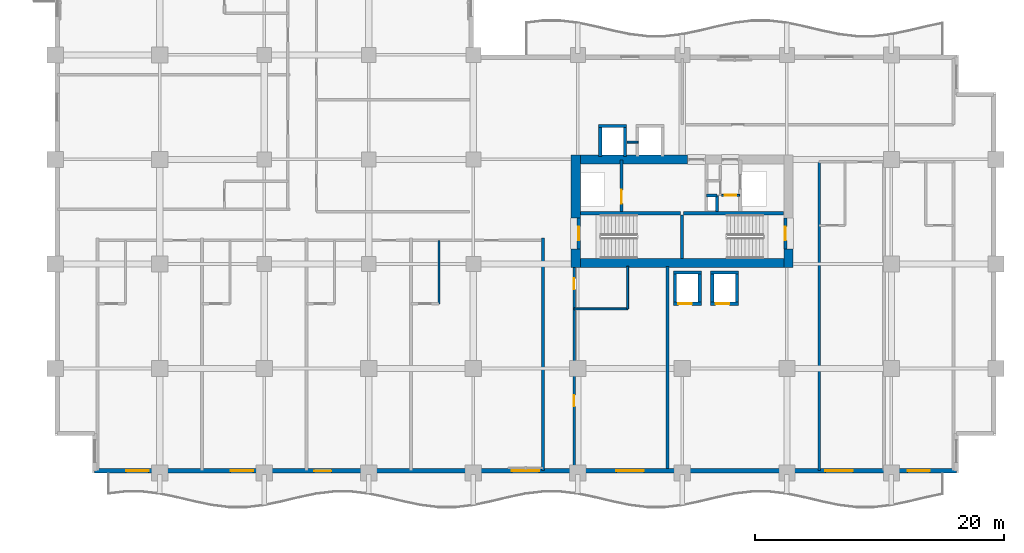
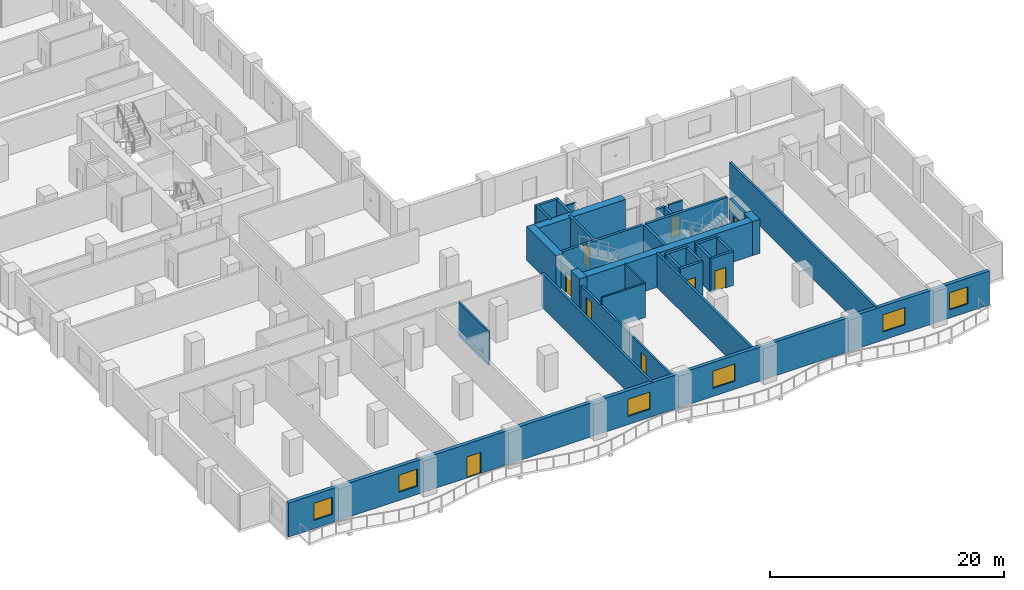
# One storey, part 5 of 18: 34 walls, 9 doors, 6 windows, 15 openings.
"""IFC4 building model written with IfcOpenShell, lengths in metres."""

from ifc_helpers import new_model, si_unit, direction, frame, frame_2d, origin, place, context, subcontext, project, spatial, rectangle, extrude, material, layer, layer_set, type_object, element, fill, save


model = new_model("IFC4")

# Units and contexts
model_context = context("Model", 3, precision=1e-05, world=origin(), true_north=direction((0.0, 1.0)))
body_context = subcontext(model_context, "Body", "Model", "MODEL_VIEW")
ifc_project = project(units=[si_unit("LENGTHUNIT", "METRE"), si_unit("AREAUNIT", "SQUARE_METRE"), si_unit("VOLUMEUNIT", "CUBIC_METRE"), si_unit("PLANEANGLEUNIT", "RADIAN"), si_unit("MASSUNIT", "GRAM", prefix="KILO")], contexts=[model_context])

# Site, building, storey
site_placement = place(None, origin())
site = spatial("IfcSite", under=ifc_project, at=site_placement, CompositionType="ELEMENT")
building_placement = place(site_placement, origin())
building = spatial("IfcBuilding", under=site, at=building_placement, Name="Koriwani Terraces Tower", CompositionType="ELEMENT")
storey_placement = place(building_placement, frame((0.0, 0.0, 100.0)))
storey = spatial("IfcBuildingStorey", under=building, at=storey_placement, Name="L23", CompositionType="ELEMENT", Elevation=100.0)

# Walls
ifc_material_1 = material(Name="Concrete C60/75", Category="concrete")
ifc_layer_1 = layer(ifc_material_1, 0.75, Name="Concrete C60/75")
ifc_layer_set_1 = layer_set([ifc_layer_1], Name="Concrete C60/75")
wall_type_1 = type_object("IfcWallType", Name="WALL_CORE_RC_750", PredefinedType="SHEAR", material=ifc_layer_set_1)
wall_1_placement = place(storey_placement, frame((41.824951171875, 16.5, 0.0), z_axis=(0.0, 0.0, 1.0), x_axis=(0.0, 1.0, 0.0)))
element("IfcWall", 1, at=wall_1_placement, inside=storey, type_object=wall_type_1, Name="L23 East Split Core Shear Wall W1", PredefinedType="SHEAR", context=body_context, shape_type="SweptSolid", body=[
    extrude(rectangle(XDim=1.5, YDim=0.75, at=frame_2d((0.75, 0.0))), origin(), (0.0, 0.0, 1.0), 3.550048828125),
])
wall_2_placement = place(storey_placement, frame((41.824951171875, 20.5, 0.0), z_axis=(0.0, 0.0, 1.0), x_axis=(0.0, 1.0, 0.0)))
element("IfcWall", 2, at=wall_2_placement, inside=storey, type_object=wall_type_1, Name="L23 East Split Core Shear Wall W2", PredefinedType="SHEAR", context=body_context, shape_type="SweptSolid", body=[
    extrude(rectangle(XDim=5.074951171875, YDim=0.75, at=frame_2d((2.53759765625, 0.0))), origin(), (0.0, 0.0, 1.0), 3.550048828125),
])
wall_3_placement = place(storey_placement, frame((58.925048828125, 16.5, 0.0), z_axis=(0.0, 0.0, 1.0), x_axis=(0.0, 1.0, 0.0)))
element("IfcWall", 3, at=wall_3_placement, inside=storey, type_object=wall_type_1, Name="L23 East Split Core Shear Wall E1", PredefinedType="SHEAR", context=body_context, shape_type="SweptSolid", body=[
    extrude(rectangle(XDim=1.5, YDim=0.75, at=frame_2d((0.75, 0.0))), origin(), (0.0, 0.0, 1.0), 3.550048828125),
])
wall_4_placement = place(storey_placement, frame((42.199951171875, 16.875, 0.0), z_axis=(0.0, 0.0, 1.0), x_axis=(1.0, 0.0, 0.0)))
element("IfcWall", 4, at=wall_4_placement, inside=storey, type_object=wall_type_1, Name="L23 East Split Core Shear Wall S1", PredefinedType="SHEAR", context=body_context, shape_type="SweptSolid", body=[
    extrude(rectangle(XDim=16.35009765625, YDim=0.75, at=frame_2d((8.175048828125, 0.0))), origin(), (0.0, 0.0, 1.0), 3.550048828125),
])
wall_5_placement = place(storey_placement, frame((42.199951171875, 25.199951171875, 0.0), z_axis=(0.0, 0.0, 1.0), x_axis=(1.0, 0.0, 0.0)))
element("IfcWall", 5, at=wall_5_placement, inside=storey, type_object=wall_type_1, Name="L23 East Split Core Shear Wall N1", PredefinedType="SHEAR", context=body_context, shape_type="SweptSolid", body=[
    extrude(rectangle(XDim=8.60009765625, YDim=0.75, at=frame_2d((4.300048828125, 0.0))), origin(), (0.0, 0.0, 1.0), 3.550048828125),
])

# Wall, openings, doors
ifc_material_2 = material(Name="Autoclaved Cellular Concrete Blockwork", Category="masonry")
ifc_layer_2 = layer(ifc_material_2, 0.199951171875, Name="Autoclaved Cellular Concrete Blockwork")
ifc_layer_set_2 = layer_set([ifc_layer_2], Name="Autoclaved Cellular Concrete Blockwork")
wall_type_2 = type_object("IfcWallType", Name="WALL_CORRIDOR_200", PredefinedType="PARTITIONING", material=ifc_layer_set_2)
wall_6_placement = place(storey_placement, frame((41.699951171875, 0.35009765625, 0.0), z_axis=(0.0, 0.0, 1.0), x_axis=(0.0, 1.0, 0.0)))
wall_6 = element("IfcWall", 6, at=wall_6_placement, inside=storey, type_object=wall_type_2, Name="L23 Interior Wall WREC-EW-L23", PredefinedType="PARTITIONING", context=body_context, shape_type="SweptSolid", body=[
    extrude(rectangle(XDim=16.25, YDim=0.199951171875, at=frame_2d((8.125, 0.0))), origin(), (0.0, 0.0, 1.0), 2.800048828125),
])
opening_1_placement = place(wall_6_placement, frame((5.0, 0.0, 0.0)))
opening_1 = element("IfcOpeningElement", 7, at=opening_1_placement, cuts=wall_6, Name="Opening D-06", PredefinedType="OPENING", context=body_context, shape_type="SweptSolid", body=[
    extrude(rectangle(XDim=0.919921875, YDim=2.10009765625, at=frame_2d((0.4599609375, 1.050048828125))), frame((0.0, 0.10986328125, 0.0), z_axis=(0.0, -1.0, 0.0), x_axis=(1.0, 0.0, 0.0)), (0.0, 0.0, 1.0), 0.219970703125),
])
opening_2_placement = place(wall_6_placement, frame((14.39990234375, 0.0, 0.0)))
opening_2 = element("IfcOpeningElement", 8, at=opening_2_placement, cuts=wall_6, Name="Opening D-07", PredefinedType="OPENING", context=body_context, shape_type="SweptSolid", body=[
    extrude(rectangle(XDim=0.89990234375, YDim=2.10009765625, at=frame_2d((0.449951171875, 1.050048828125))), frame((0.0, 0.10986328125, 0.0), z_axis=(0.0, -1.0, 0.0), x_axis=(1.0, 0.0, 0.0)), (0.0, 0.0, 1.0), 0.219970703125),
])
ifc_material_3 = material(Name="Architectural Oak Fire Door", Category="wood")
door_type_1 = type_object("IfcDoorType", Name="DOOR_BATH_INT_900X2100", OperationType="NOTDEFINED", PredefinedType="DOOR", material=ifc_material_3)
door_1_placement = place(opening_2_placement, origin())
door_1 = element("IfcDoor", 9, at=door_1_placement, inside=storey, type_object=door_type_1, Name="L23 Linen Closet Door", OperationType="SINGLE_SWING_LEFT", OverallHeight=2.10009765625, OverallWidth=0.89990234375, PredefinedType="DOOR", context=body_context, shape_type="SweptSolid", body=[
    extrude(rectangle(XDim=0.89990234375, YDim=2.10009765625, at=frame_2d((0.449951171875, 1.050048828125))), frame((0.0, 0.02490234375, 0.0), z_axis=(0.0, -1.0, 0.0), x_axis=(1.0, 0.0, 0.0)), (0.0, 0.0, 1.0), 0.050048828125),
])
fill(opening_2, door_1)
door_type_2 = type_object("IfcDoorType", Name="DOOR_ROOM_INT_920X2100", OperationType="NOTDEFINED", PredefinedType="DOOR", material=ifc_material_3)
door_2_placement = place(opening_1_placement, origin())
door_2 = element("IfcDoor", 10, at=door_2_placement, inside=storey, type_object=door_type_2, Name="L23 Floor Study Lounge Door", OperationType="SINGLE_SWING_RIGHT", OverallHeight=2.10009765625, OverallWidth=0.919921875, PredefinedType="DOOR", context=body_context, shape_type="SweptSolid", body=[
    extrude(rectangle(XDim=0.919921875, YDim=2.10009765625, at=frame_2d((0.4599609375, 1.050048828125))), frame((0.0, 0.02490234375, 0.0), z_axis=(0.0, -1.0, 0.0), x_axis=(1.0, 0.0, 0.0)), (0.0, 0.0, 1.0), 0.050048828125),
])
fill(opening_1, door_2)

# Walls
ifc_layer_3 = layer(ifc_material_2, 0.219970703125, Name="Autoclaved Cellular Concrete Blockwork")
ifc_layer_set_3 = layer_set([ifc_layer_3], Name="Autoclaved Cellular Concrete Blockwork")
wall_type_3 = type_object("IfcWallType", Name="WALL_DEMISING_220", PredefinedType="PARTITIONING", material=ifc_layer_set_3)
wall_7_placement = place(storey_placement, frame((49.199951171875, 0.35009765625, 0.0), z_axis=(0.0, 0.0, 1.0), x_axis=(0.0, 1.0, 0.0)))
element("IfcWall", 11, at=wall_7_placement, inside=storey, type_object=wall_type_3, Name="L23 Interior Wall WREC-EE-L23", PredefinedType="PARTITIONING", context=body_context, shape_type="SweptSolid", body=[
    extrude(rectangle(XDim=16.25, YDim=0.219970703125, at=frame_2d((8.125, 0.0))), origin(), (0.0, 0.0, 1.0), 3.550048828125),
])
wall_8_placement = place(storey_placement, frame((39.199951171875, 0.199951171875, 0.0), z_axis=(0.0, 0.0, 1.0), x_axis=(0.0, 1.0, 0.0)))
element("IfcWall", 12, at=wall_8_placement, inside=storey, type_object=wall_type_3, Name="L23 Interior Wall WDEME-L23-SW", PredefinedType="PARTITIONING", context=body_context, shape_type="SweptSolid", body=[
    extrude(rectangle(XDim=18.679931640625, YDim=0.219970703125, at=frame_2d((9.33984375, 0.0))), origin(), (0.0, 0.0, 1.0), 3.550048828125),
])
wall_9_placement = place(storey_placement, frame((61.39990234375, 0.199951171875, 0.0), z_axis=(0.0, 0.0, 1.0), x_axis=(0.0, 1.0, 0.0)))
element("IfcWall", 13, at=wall_9_placement, inside=storey, type_object=wall_type_3, Name="L23 Interior Wall WDEM-L23-SE-0", PredefinedType="PARTITIONING", context=body_context, shape_type="SweptSolid", body=[
    extrude(rectangle(XDim=24.97998046875, YDim=0.219970703125, at=frame_2d((12.489990234375, 0.0))), origin(), (0.0, 0.0, 1.0), 3.550048828125),
])

# Wall, openings, door, windows
ifc_material_4 = material(Name="Concrete C50/60", Category="concrete")
ifc_layer_4 = layer(ifc_material_4, 0.35009765625, Name="Concrete C50/60")
ifc_layer_set_4 = layer_set([ifc_layer_4], Name="Concrete C50/60")
wall_type_4 = type_object("IfcWallType", Name="WALL_EXT_BRUTALIST_350", PredefinedType="STANDARD", material=ifc_layer_set_4)
wall_10_placement = place(storey_placement, frame((72.425048828125, 0.175048828125, 0.0), z_axis=(0.0, 0.0, 1.0), x_axis=(-1.0, 0.0, 0.0)))
wall_10 = element("IfcWall", 14, at=wall_10_placement, inside=storey, type_object=wall_type_4, Name="L23 Fair-Faced Brutalist Exterior Wall (S)", PredefinedType="STANDARD", context=body_context, shape_type="SweptSolid", body=[
    extrude(rectangle(XDim=69.25, YDim=0.35009765625, at=frame_2d((34.625, 0.0))), origin(), (0.0, 0.0, 1.0), 3.550048828125),
])
opening_3_placement = place(wall_10_placement, frame((50.22509765625, 0.0, 0.0)))
opening_3 = element("IfcOpeningElement", 15, at=opening_3_placement, cuts=wall_10, Name="Opening D-09", PredefinedType="OPENING", context=body_context, shape_type="SweptSolid", body=[
    extrude(rectangle(XDim=1.39990234375, YDim=2.199951171875, at=frame_2d((0.699951171875, 1.10009765625))), frame((0.0, 0.18505859375, 0.0), z_axis=(0.0, -1.0, 0.0), x_axis=(1.0, 0.0, 0.0)), (0.0, 0.0, 1.0), 0.3701171875),
])
opening_4_placement = place(wall_10_placement, frame((33.52490234375, 0.0, 0.85009765625)))
opening_4 = element("IfcOpeningElement", 16, at=opening_4_placement, cuts=wall_10, Name="Opening W-01", PredefinedType="OPENING", context=body_context, shape_type="SweptSolid", body=[
    extrude(rectangle(XDim=2.199951171875, YDim=1.800048828125, at=frame_2d((1.10009765625, 0.89990234375))), frame((0.0, 0.18505859375, 0.0), z_axis=(0.0, -1.0, 0.0), x_axis=(1.0, 0.0, 0.0)), (0.0, 0.0, 1.0), 0.3701171875),
])
opening_5_placement = place(wall_10_placement, frame((25.125, 0.0, 0.85009765625)))
opening_5 = element("IfcOpeningElement", 17, at=opening_5_placement, cuts=wall_10, Name="Opening W-01", PredefinedType="OPENING", context=body_context, shape_type="SweptSolid", body=[
    extrude(rectangle(XDim=2.199951171875, YDim=1.800048828125, at=frame_2d((1.10009765625, 0.89990234375))), frame((0.0, 0.18505859375, 0.0), z_axis=(0.0, -1.0, 0.0), x_axis=(1.0, 0.0, 0.0)), (0.0, 0.0, 1.0), 0.3701171875),
])
opening_6_placement = place(wall_10_placement, frame((8.324951171875, 0.0, 0.85009765625)))
opening_6 = element("IfcOpeningElement", 18, at=opening_6_placement, cuts=wall_10, Name="Opening W-01", PredefinedType="OPENING", context=body_context, shape_type="SweptSolid", body=[
    extrude(rectangle(XDim=2.199951171875, YDim=1.800048828125, at=frame_2d((1.10009765625, 0.89990234375))), frame((0.0, 0.18505859375, 0.0), z_axis=(0.0, -1.0, 0.0), x_axis=(1.0, 0.0, 0.0)), (0.0, 0.0, 1.0), 0.3701171875),
])
opening_7_placement = place(wall_10_placement, frame((64.925048828125, 0.0, 0.85009765625)))
opening_7 = element("IfcOpeningElement", 19, at=opening_7_placement, cuts=wall_10, Name="Opening W-04", PredefinedType="OPENING", context=body_context, shape_type="SweptSolid", body=[
    extrude(rectangle(XDim=1.800048828125, YDim=1.800048828125, at=frame_2d((0.89990234375, 0.89990234375))), frame((0.0, 0.18505859375, 0.0), z_axis=(0.0, -1.0, 0.0), x_axis=(1.0, 0.0, 0.0)), (0.0, 0.0, 1.0), 0.3701171875),
])
opening_8_placement = place(wall_10_placement, frame((56.52490234375, 0.0, 0.85009765625)))
opening_8 = element("IfcOpeningElement", 20, at=opening_8_placement, cuts=wall_10, Name="Opening W-04", PredefinedType="OPENING", context=body_context, shape_type="SweptSolid", body=[
    extrude(rectangle(XDim=1.800048828125, YDim=1.800048828125, at=frame_2d((0.89990234375, 0.89990234375))), frame((0.0, 0.18505859375, 0.0), z_axis=(0.0, -1.0, 0.0), x_axis=(1.0, 0.0, 0.0)), (0.0, 0.0, 1.0), 0.3701171875),
])
opening_9_placement = place(wall_10_placement, frame((2.125, 0.0, 0.85009765625)))
opening_9 = element("IfcOpeningElement", 21, at=opening_9_placement, cuts=wall_10, Name="Opening W-04", PredefinedType="OPENING", context=body_context, shape_type="SweptSolid", body=[
    extrude(rectangle(XDim=1.800048828125, YDim=1.800048828125, at=frame_2d((0.89990234375, 0.89990234375))), frame((0.0, 0.18505859375, 0.0), z_axis=(0.0, -1.0, 0.0), x_axis=(1.0, 0.0, 0.0)), (0.0, 0.0, 1.0), 0.3701171875),
])
ifc_material_5 = material(Name="Anodised Bronze Aluminium", Category="aluminium")
door_type_3 = type_object("IfcDoorType", Name="DOOR_BALCONY_GLAZED_1400X2200", OperationType="NOTDEFINED", PredefinedType="DOOR", material=ifc_material_5)
door_3_placement = place(opening_3_placement, origin())
door_3 = element("IfcDoor", 22, at=door_3_placement, inside=storey, type_object=door_type_3, Name="L23 South Balcony Glazed Door", OperationType="SINGLE_SWING_LEFT", OverallHeight=2.199951171875, OverallWidth=1.39990234375, PredefinedType="DOOR", context=body_context, shape_type="SweptSolid", body=[
    extrude(rectangle(XDim=1.39990234375, YDim=2.199951171875, at=frame_2d((0.699951171875, 1.10009765625))), frame((0.0, 0.02490234375, 0.0), z_axis=(0.0, -1.0, 0.0), x_axis=(1.0, 0.0, 0.0)), (0.0, 0.0, 1.0), 0.050048828125),
])
fill(opening_3, door_3)
ifc_material_6 = material(Name="Tempered Laminated Low-E Glass", Category="glass")
window_type_1 = type_object("IfcWindowType", Name="WIN_HOTEL_STD_2200X1800", PartitioningType="DOUBLE_PANEL_VERTICAL", PredefinedType="WINDOW", material=ifc_material_6)
window_1_placement = place(opening_4_placement, origin())
window_1 = element("IfcWindow", 23, at=window_1_placement, inside=storey, type_object=window_type_1, Name="L23 Exterior Window (S-12)", OverallHeight=1.800048828125, OverallWidth=2.199951171875, PartitioningType="SINGLE_PANEL", PredefinedType="WINDOW", context=body_context, shape_type="SweptSolid", body=[
    extrude(rectangle(XDim=2.199951171875, YDim=1.800048828125, at=frame_2d((1.10009765625, 0.89990234375))), frame((0.0, 0.030029296875, 0.0), z_axis=(0.0, -1.0, 0.0), x_axis=(1.0, 0.0, 0.0)), (0.0, 0.0, 1.0), 0.06005859375),
])
fill(opening_4, window_1)
window_2_placement = place(opening_5_placement, origin())
window_2 = element("IfcWindow", 24, at=window_2_placement, inside=storey, type_object=window_type_1, Name="L23 Exterior Window (S-15)", OverallHeight=1.800048828125, OverallWidth=2.199951171875, PartitioningType="SINGLE_PANEL", PredefinedType="WINDOW", context=body_context, shape_type="SweptSolid", body=[
    extrude(rectangle(XDim=2.199951171875, YDim=1.800048828125, at=frame_2d((1.10009765625, 0.89990234375))), frame((0.0, 0.030029296875, 0.0), z_axis=(0.0, -1.0, 0.0), x_axis=(1.0, 0.0, 0.0)), (0.0, 0.0, 1.0), 0.06005859375),
])
fill(opening_5, window_2)
window_3_placement = place(opening_6_placement, origin())
window_3 = element("IfcWindow", 25, at=window_3_placement, inside=storey, type_object=window_type_1, Name="L23 Exterior Window (S-21)", OverallHeight=1.800048828125, OverallWidth=2.199951171875, PartitioningType="SINGLE_PANEL", PredefinedType="WINDOW", context=body_context, shape_type="SweptSolid", body=[
    extrude(rectangle(XDim=2.199951171875, YDim=1.800048828125, at=frame_2d((1.10009765625, 0.89990234375))), frame((0.0, 0.030029296875, 0.0), z_axis=(0.0, -1.0, 0.0), x_axis=(1.0, 0.0, 0.0)), (0.0, 0.0, 1.0), 0.06005859375),
])
fill(opening_6, window_3)
window_type_2 = type_object("IfcWindowType", Name="WIN_RES_BED_1800X1800", PartitioningType="DOUBLE_PANEL_VERTICAL", PredefinedType="WINDOW", material=ifc_material_6)
window_4_placement = place(opening_7_placement, origin())
window_4 = element("IfcWindow", 26, at=window_4_placement, inside=storey, type_object=window_type_2, Name="L23 Exterior Window (S-R32)", OverallHeight=1.800048828125, OverallWidth=1.800048828125, PartitioningType="SINGLE_PANEL", PredefinedType="WINDOW", context=body_context, shape_type="SweptSolid", body=[
    extrude(rectangle(XDim=1.800048828125, YDim=1.800048828125, at=frame_2d((0.89990234375, 0.89990234375))), frame((0.0, 0.030029296875, 0.0), z_axis=(0.0, -1.0, 0.0), x_axis=(1.0, 0.0, 0.0)), (0.0, 0.0, 1.0), 0.06005859375),
])
fill(opening_7, window_4)
window_5_placement = place(opening_8_placement, origin())
window_5 = element("IfcWindow", 27, at=window_5_placement, inside=storey, type_object=window_type_2, Name="L23 Exterior Window (S-R34)", OverallHeight=1.800048828125, OverallWidth=1.800048828125, PartitioningType="SINGLE_PANEL", PredefinedType="WINDOW", context=body_context, shape_type="SweptSolid", body=[
    extrude(rectangle(XDim=1.800048828125, YDim=1.800048828125, at=frame_2d((0.89990234375, 0.89990234375))), frame((0.0, 0.030029296875, 0.0), z_axis=(0.0, -1.0, 0.0), x_axis=(1.0, 0.0, 0.0)), (0.0, 0.0, 1.0), 0.06005859375),
])
fill(opening_8, window_5)
window_6_placement = place(opening_9_placement, origin())
window_6 = element("IfcWindow", 28, at=window_6_placement, inside=storey, type_object=window_type_2, Name="L23 Exterior Window (S-R55)", OverallHeight=1.800048828125, OverallWidth=1.800048828125, PartitioningType="SINGLE_PANEL", PredefinedType="WINDOW", context=body_context, shape_type="SweptSolid", body=[
    extrude(rectangle(XDim=1.800048828125, YDim=1.800048828125, at=frame_2d((0.89990234375, 0.89990234375))), frame((0.0, 0.030029296875, 0.0), z_axis=(0.0, -1.0, 0.0), x_axis=(1.0, 0.0, 0.0)), (0.0, 0.0, 1.0), 0.06005859375),
])
fill(opening_9, window_6)

# Walls
ifc_material_7 = material(Name="Fire-Rated Acoustic Gypsum Partition", Category="masonry")
ifc_layer_5 = layer(ifc_material_7, 0.179931640625, Name="Fire-Rated Acoustic Gypsum Partition")
ifc_layer_set_5 = layer_set([ifc_layer_5], Name="Fire-Rated Acoustic Gypsum Partition")
wall_type_5 = type_object("IfcWallType", Name="WALL_PLUMBING_180", PredefinedType="PLUMBINGWALL", material=ifc_layer_set_5)
wall_11_placement = place(storey_placement, frame((30.85009765625, 13.60009765625, 0.0), z_axis=(0.0, 0.0, 1.0), x_axis=(0.0, 1.0, 0.0)))
element("IfcWall", 29, at=wall_11_placement, inside=storey, type_object=wall_type_5, Name="L23 Interior Wall WBTH2-L23-SW-3", PredefinedType="PLUMBINGWALL", context=body_context, shape_type="SweptSolid", body=[
    extrude(rectangle(XDim=5.099853515625, YDim=0.179931640625, at=frame_2d((2.5498046875, 0.0))), origin(), (0.0, 0.0, 1.0), 3.550048828125),
])
ifc_material_8 = material(Name="Concrete C40/50", Category="concrete")
ifc_layer_6 = layer(ifc_material_8, 0.25, Name="Concrete C40/50")
ifc_layer_set_6 = layer_set([ifc_layer_6], Name="Concrete C40/50")
wall_type_6 = type_object("IfcWallType", Name="WALL_SHAFT_RATED_250", PredefinedType="SOLIDWALL", material=ifc_layer_set_6)
for number, where, z_axis, x_axis, name in (
    (30, (42.199951171875, 20.875, 0.0), (0.0, 0.0, 1.0), (1.0, 0.0, 0.0), "L23 East Split Core Web Wall MID1"),
    (31, (50.5, 20.875, 0.0), (0.0, 0.0, 1.0), (1.0, 0.0, 0.0), "L23 East Split Core Web Wall MID2"),
):
    element("IfcWall", number, at=place(storey_placement, frame(where, z_axis=z_axis, x_axis=x_axis)), inside=storey, type_object=wall_type_6, Name=name, PredefinedType="SOLIDWALL", context=body_context, shape_type="SweptSolid", body=[
        extrude(rectangle(XDim=8.050048828125, YDim=0.25, at=frame_2d((4.02490234375, 0.0))), origin(), (0.0, 0.0, 1.0), 3.550048828125),
    ])
wall_12_placement = place(storey_placement, frame((50.375, 17.25, 0.0), z_axis=(0.0, 0.0, 1.0), x_axis=(0.0, 1.0, 0.0)))
element("IfcWall", 32, at=wall_12_placement, inside=storey, type_object=wall_type_6, Name="L23 East Split Core Stair Dividing Wall", PredefinedType="SOLIDWALL", context=body_context, shape_type="SweptSolid", body=[
    extrude(rectangle(XDim=3.5, YDim=0.25, at=frame_2d((1.75, 0.0))), origin(), (0.0, 0.0, 1.0), 3.550048828125),
])

# Wall, opening, door
wall_13_placement = place(storey_placement, frame((42.074951171875, 18.0, 0.0), z_axis=(0.0, 0.0, 1.0), x_axis=(0.0, 1.0, 0.0)))
wall_13 = element("IfcWall", 33, at=wall_13_placement, inside=storey, type_object=wall_type_6, Name="L23 Interior Wall WIN-CE-L23-STW", PredefinedType="SOLIDWALL", context=body_context, shape_type="SweptSolid", body=[
    extrude(rectangle(XDim=2.5, YDim=0.25, at=frame_2d((1.25, 0.0))), origin(), (0.0, 0.0, 1.0), 3.550048828125),
])
opening_10_placement = place(wall_13_placement, frame((0.699951171875, 0.0, 0.0)))
opening_10 = element("IfcOpeningElement", 34, at=opening_10_placement, cuts=wall_13, Name="Opening D-03", PredefinedType="OPENING", context=body_context, shape_type="SweptSolid", body=[
    extrude(rectangle(XDim=1.10009765625, YDim=2.14990234375, at=frame_2d((0.550048828125, 1.074951171875))), frame((0.0, 0.135009765625, 0.0), z_axis=(0.0, -1.0, 0.0), x_axis=(1.0, 0.0, 0.0)), (0.0, 0.0, 1.0), 0.27001953125),
])
ifc_material_9 = material(Name="Steel ASTM A572 Grade 50", Category="steel")
door_type_4 = type_object("IfcDoorType", Name="DOOR_STAIR_FIRE_1100X2150", OperationType="NOTDEFINED", PredefinedType="DOOR", material=ifc_material_9)
door_4_placement = place(opening_10_placement, origin())
door_4 = element("IfcDoor", 35, at=door_4_placement, inside=storey, type_object=door_type_4, Name="L23 Exit Stair ST-E1 Door", OperationType="SINGLE_SWING_RIGHT", OverallHeight=2.14990234375, OverallWidth=1.10009765625, PredefinedType="DOOR", context=body_context, shape_type="SweptSolid", body=[
    extrude(rectangle(XDim=1.10009765625, YDim=2.14990234375, at=frame_2d((0.550048828125, 1.074951171875))), frame((0.0, 0.02490234375, 0.0), z_axis=(0.0, -1.0, 0.0), x_axis=(1.0, 0.0, 0.0)), (0.0, 0.0, 1.0), 0.050048828125),
])
fill(opening_10, door_4)

wall_14_placement = place(storey_placement, frame((58.675048828125, 18.0, 0.0), z_axis=(0.0, 0.0, 1.0), x_axis=(0.0, 1.0, 0.0)))
wall_14 = element("IfcWall", 36, at=wall_14_placement, inside=storey, type_object=wall_type_6, Name="L23 Interior Wall WIN-CE-L23-STE", PredefinedType="SOLIDWALL", context=body_context, shape_type="SweptSolid", body=[
    extrude(rectangle(XDim=2.5, YDim=0.25, at=frame_2d((1.25, 0.0))), origin(), (0.0, 0.0, 1.0), 3.550048828125),
])
opening_11_placement = place(wall_14_placement, frame((0.699951171875, 0.0, 0.0)))
opening_11 = element("IfcOpeningElement", 37, at=opening_11_placement, cuts=wall_14, Name="Opening D-03", PredefinedType="OPENING", context=body_context, shape_type="SweptSolid", body=[
    extrude(rectangle(XDim=1.10009765625, YDim=2.14990234375, at=frame_2d((0.550048828125, 1.074951171875))), frame((0.0, 0.135009765625, 0.0), z_axis=(0.0, -1.0, 0.0), x_axis=(1.0, 0.0, 0.0)), (0.0, 0.0, 1.0), 0.27001953125),
])
door_5_placement = place(opening_11_placement, origin())
door_5 = element("IfcDoor", 38, at=door_5_placement, inside=storey, type_object=door_type_4, Name="L23 Exit Stair ST-E2 Door", OperationType="SINGLE_SWING_LEFT", OverallHeight=2.14990234375, OverallWidth=1.10009765625, PredefinedType="DOOR", context=body_context, shape_type="SweptSolid", body=[
    extrude(rectangle(XDim=1.10009765625, YDim=2.14990234375, at=frame_2d((0.550048828125, 1.074951171875))), frame((0.0, 0.02490234375, 0.0), z_axis=(0.0, -1.0, 0.0), x_axis=(1.0, 0.0, 0.0)), (0.0, 0.0, 1.0), 0.050048828125),
])
fill(opening_11, door_5)

wall_15_placement = place(storey_placement, frame((45.5, 21.0, 0.0), z_axis=(0.0, 0.0, 1.0), x_axis=(0.0, 1.0, 0.0)))
wall_15 = element("IfcWall", 39, at=wall_15_placement, inside=storey, type_object=wall_type_6, Name="L23 Interior Wall WIN-CE-L23-FE", PredefinedType="SOLIDWALL", context=body_context, shape_type="SweptSolid", body=[
    extrude(rectangle(XDim=4.14990234375, YDim=0.25, at=frame_2d((2.074951171875, 0.0))), origin(), (0.0, 0.0, 1.0), 3.550048828125),
])
opening_12_placement = place(wall_15_placement, frame((0.64990234375, 0.0, 0.0)))
opening_12 = element("IfcOpeningElement", 40, at=opening_12_placement, cuts=wall_15, Name="Opening LD-01", PredefinedType="OPENING", context=body_context, shape_type="SweptSolid", body=[
    extrude(rectangle(XDim=1.10009765625, YDim=2.14990234375, at=frame_2d((0.550048828125, 1.074951171875))), frame((0.0, 0.135009765625, 0.0), z_axis=(0.0, -1.0, 0.0), x_axis=(1.0, 0.0, 0.0)), (0.0, 0.0, 1.0), 0.27001953125),
])
door_type_5 = type_object("IfcDoorType", Name="DOOR_LIFT_LANDING_1100X2200", OperationType="NOTDEFINED", PredefinedType="DOOR", material=ifc_material_9)
door_6_placement = place(opening_12_placement, origin())
door_6 = element("IfcDoor", 41, at=door_6_placement, inside=storey, type_object=door_type_5, Name="L23 Firefighting Lift FE-02 Landing Door", OperationType="SLIDING_TO_LEFT", OverallHeight=2.14990234375, OverallWidth=1.10009765625, PredefinedType="DOOR", context=body_context, shape_type="SweptSolid", body=[
    extrude(rectangle(XDim=1.10009765625, YDim=2.14990234375, at=frame_2d((0.550048828125, 1.074951171875))), frame((0.0, 0.02490234375, 0.0), z_axis=(0.0, -1.0, 0.0), x_axis=(1.0, 0.0, 0.0)), (0.0, 0.0, 1.0), 0.050048828125),
])
fill(opening_12, door_6)

# Walls
wall_16_placement = place(storey_placement, frame((53.199951171875, 21.0, 0.0), z_axis=(0.0, 0.0, 1.0), x_axis=(0.0, 1.0, 0.0)))
element("IfcWall", 42, at=wall_16_placement, inside=storey, type_object=wall_type_6, Name="L23 Interior Wall WIN-CE-L23-RS1", PredefinedType="SOLIDWALL", context=body_context, shape_type="SweptSolid", body=[
    extrude(rectangle(XDim=1.300048828125, YDim=0.25, at=frame_2d((0.64990234375, 0.0))), origin(), (0.0, 0.0, 1.0), 3.550048828125),
])
wall_17_placement = place(storey_placement, frame((52.360107421875, 22.300048828125, 0.0), z_axis=(0.0, 0.0, 1.0), x_axis=(1.0, 0.0, 0.0)))
element("IfcWall", 43, at=wall_17_placement, inside=storey, type_object=wall_type_6, Name="L23 Interior Wall WIN-CE-L23-RS2", PredefinedType="SOLIDWALL", context=body_context, shape_type="SweptSolid", body=[
    extrude(rectangle(XDim=0.83984375, YDim=0.25, at=frame_2d((0.419921875, 0.0))), origin(), (0.0, 0.0, 1.0), 3.550048828125),
])

# Wall, opening, door
wall_18_placement = place(storey_placement, frame((49.675048828125, 13.60009765625, 0.0), z_axis=(0.0, 0.0, 1.0), x_axis=(1.0, 0.0, 0.0)))
wall_18 = element("IfcWall", 44, at=wall_18_placement, inside=storey, type_object=wall_type_6, Name="L23 Interior Wall WIN-LF-PE-M3-L23-F", PredefinedType="SOLIDWALL", context=body_context, shape_type="SweptSolid", body=[
    extrude(rectangle(XDim=2.25, YDim=0.25, at=frame_2d((1.125, 0.0))), origin(), (0.0, 0.0, 1.0), 3.550048828125),
])
opening_13_placement = place(wall_18_placement, frame((0.39990234375, 0.0, 0.0)))
opening_13 = element("IfcOpeningElement", 45, at=opening_13_placement, cuts=wall_18, Name="Opening LD-01", PredefinedType="OPENING", context=body_context, shape_type="SweptSolid", body=[
    extrude(rectangle(XDim=1.10009765625, YDim=2.14990234375, at=frame_2d((0.550048828125, 1.074951171875))), frame((0.0, 0.135009765625, 0.0), z_axis=(0.0, -1.0, 0.0), x_axis=(1.0, 0.0, 0.0)), (0.0, 0.0, 1.0), 0.27001953125),
])
door_7_placement = place(opening_13_placement, origin())
door_7 = element("IfcDoor", 46, at=door_7_placement, inside=storey, type_object=door_type_5, Name="L23 Passenger Lift PE-M3 Landing Door", OperationType="SLIDING_TO_LEFT", OverallHeight=2.14990234375, OverallWidth=1.10009765625, PredefinedType="DOOR", context=body_context, shape_type="SweptSolid", body=[
    extrude(rectangle(XDim=1.10009765625, YDim=2.14990234375, at=frame_2d((0.550048828125, 1.074951171875))), frame((0.0, 0.02490234375, 0.0), z_axis=(0.0, -1.0, 0.0), x_axis=(1.0, 0.0, 0.0)), (0.0, 0.0, 1.0), 0.050048828125),
])
fill(opening_13, door_7)

# Walls
for number, where, z_axis, x_axis, name in (
    (47, (49.675048828125, 16.10009765625, 0.0), (0.0, 0.0, 1.0), (1.0, 0.0, 0.0), "L23 Interior Wall WIN-LF-PE-M3-L23-B"),
    (48, (49.800048828125, 13.72509765625, 0.0), (0.0, 0.0, 1.0), (0.0, 1.0, 0.0), "L23 Interior Wall WIN-LF-PE-M3-L23-W"),
    (49, (51.800048828125, 13.72509765625, 0.0), (0.0, 0.0, 1.0), (0.0, 1.0, 0.0), "L23 Interior Wall WIN-LF-PE-M3-L23-E"),
):
    element("IfcWall", number, at=place(storey_placement, frame(where, z_axis=z_axis, x_axis=x_axis)), inside=storey, type_object=wall_type_6, Name=name, PredefinedType="SOLIDWALL", context=body_context, shape_type="SweptSolid", body=[
        extrude(rectangle(XDim=2.25, YDim=0.25, at=frame_2d((1.125, 0.0))), origin(), (0.0, 0.0, 1.0), 3.550048828125),
    ])

# Wall, opening, door
wall_19_placement = place(storey_placement, frame((52.675048828125, 13.60009765625, 0.0), z_axis=(0.0, 0.0, 1.0), x_axis=(1.0, 0.0, 0.0)))
wall_19 = element("IfcWall", 50, at=wall_19_placement, inside=storey, type_object=wall_type_6, Name="L23 Interior Wall WIN-LF-PE-M4-L23-F", PredefinedType="SOLIDWALL", context=body_context, shape_type="SweptSolid", body=[
    extrude(rectangle(XDim=2.25, YDim=0.25, at=frame_2d((1.125, 0.0))), origin(), (0.0, 0.0, 1.0), 3.550048828125),
])
opening_14_placement = place(wall_19_placement, frame((0.39990234375, 0.0, 0.0)))
opening_14 = element("IfcOpeningElement", 51, at=opening_14_placement, cuts=wall_19, Name="Opening LD-01", PredefinedType="OPENING", context=body_context, shape_type="SweptSolid", body=[
    extrude(rectangle(XDim=1.10009765625, YDim=2.14990234375, at=frame_2d((0.550048828125, 1.074951171875))), frame((0.0, 0.135009765625, 0.0), z_axis=(0.0, -1.0, 0.0), x_axis=(1.0, 0.0, 0.0)), (0.0, 0.0, 1.0), 0.27001953125),
])
door_8_placement = place(opening_14_placement, origin())
door_8 = element("IfcDoor", 52, at=door_8_placement, inside=storey, type_object=door_type_5, Name="L23 Passenger Lift PE-M4 Landing Door", OperationType="SLIDING_TO_LEFT", OverallHeight=2.14990234375, OverallWidth=1.10009765625, PredefinedType="DOOR", context=body_context, shape_type="SweptSolid", body=[
    extrude(rectangle(XDim=1.10009765625, YDim=2.14990234375, at=frame_2d((0.550048828125, 1.074951171875))), frame((0.0, 0.02490234375, 0.0), z_axis=(0.0, -1.0, 0.0), x_axis=(1.0, 0.0, 0.0)), (0.0, 0.0, 1.0), 0.050048828125),
])
fill(opening_14, door_8)

# Walls
for number, where, z_axis, x_axis, name in (
    (53, (52.675048828125, 16.10009765625, 0.0), (0.0, 0.0, 1.0), (1.0, 0.0, 0.0), "L23 Interior Wall WIN-LF-PE-M4-L23-B"),
    (54, (52.800048828125, 13.72509765625, 0.0), (0.0, 0.0, 1.0), (0.0, 1.0, 0.0), "L23 Interior Wall WIN-LF-PE-M4-L23-W"),
    (55, (54.800048828125, 13.72509765625, 0.0), (0.0, 0.0, 1.0), (0.0, 1.0, 0.0), "L23 Interior Wall WIN-LF-PE-M4-L23-E"),
    (56, (43.675048828125, 27.89990234375, 0.0), (0.0, 0.0, 1.0), (1.0, 0.0, 0.0), "L23 Interior Wall WIN-LF-PE-H3-L23-F"),
):
    element("IfcWall", number, at=place(storey_placement, frame(where, z_axis=z_axis, x_axis=x_axis)), inside=storey, type_object=wall_type_6, Name=name, PredefinedType="SOLIDWALL", context=body_context, shape_type="SweptSolid", body=[
        extrude(rectangle(XDim=2.25, YDim=0.25, at=frame_2d((1.125, 0.0))), origin(), (0.0, 0.0, 1.0), 3.550048828125),
    ])
for number, where, z_axis, x_axis, name in (
    (57, (43.800048828125, 25.449951171875, 0.0), (0.0, 0.0, 1.0), (0.0, 1.0, 0.0), "L23 Interior Wall WIN-LF-PE-H3-L23-W"),
    (58, (45.800048828125, 25.449951171875, 0.0), (0.0, 0.0, 1.0), (0.0, 1.0, 0.0), "L23 Interior Wall WIN-LF-PE-H3-L23-E"),
):
    element("IfcWall", number, at=place(storey_placement, frame(where, z_axis=z_axis, x_axis=x_axis)), inside=storey, type_object=wall_type_6, Name=name, PredefinedType="SOLIDWALL", context=body_context, shape_type="SweptSolid", body=[
        extrude(rectangle(XDim=2.324951171875, YDim=0.25, at=frame_2d((1.16259765625, 0.0))), origin(), (0.0, 0.0, 1.0), 3.550048828125),
    ])

# Wall, opening, door
ifc_layer_7 = layer(ifc_material_7, 0.159912109375, Name="Fire-Rated Acoustic Gypsum Partition")
ifc_layer_set_7 = layer_set([ifc_layer_7], Name="Fire-Rated Acoustic Gypsum Partition")
wall_type_7 = type_object("IfcWallType", Name="WALL_SUITE_160", PredefinedType="PARTITIONING", material=ifc_layer_set_7)
wall_20_placement = place(storey_placement, frame((53.56005859375, 22.320068359375, 0.0), z_axis=(0.0, 0.0, 1.0), x_axis=(1.0, 0.0, 0.0)))
wall_20 = element("IfcWall", 59, at=wall_20_placement, inside=storey, type_object=wall_type_7, Name="L23 Interior Wall WIN-CE-L23-SV2A", PredefinedType="PARTITIONING", context=body_context, shape_type="SweptSolid", body=[
    extrude(rectangle(XDim=1.43994140625, YDim=0.159912109375, at=frame_2d((0.719970703125, 0.0))), origin(), (0.0, 0.0, 1.0), 3.550048828125),
])
opening_15_placement = place(wall_20_placement, frame((0.260009765625, 0.0, 0.0)))
opening_15 = element("IfcOpeningElement", 60, at=opening_15_placement, cuts=wall_20, Name="Opening D-07", PredefinedType="OPENING", context=body_context, shape_type="SweptSolid", body=[
    extrude(rectangle(XDim=0.89990234375, YDim=2.10009765625, at=frame_2d((0.449951171875, 1.050048828125))), frame((0.0, 0.08984375, 0.0), z_axis=(0.0, -1.0, 0.0), x_axis=(1.0, 0.0, 0.0)), (0.0, 0.0, 1.0), 0.179931640625),
])
door_9_placement = place(opening_15_placement, origin())
door_9 = element("IfcDoor", 61, at=door_9_placement, inside=storey, type_object=door_type_1, Name="L23 East Meter Room Door", OperationType="SINGLE_SWING_RIGHT", OverallHeight=2.10009765625, OverallWidth=0.89990234375, PredefinedType="DOOR", context=body_context, shape_type="SweptSolid", body=[
    extrude(rectangle(XDim=0.89990234375, YDim=2.10009765625, at=frame_2d((0.449951171875, 1.050048828125))), frame((0.0, 0.02490234375, 0.0), z_axis=(0.0, -1.0, 0.0), x_axis=(1.0, 0.0, 0.0)), (0.0, 0.0, 1.0), 0.050048828125),
])
fill(opening_15, door_9)

# Walls
wall_21_placement = place(storey_placement, frame((45.9599609375, 26.60009765625, 0.0), z_axis=(0.0, 0.0, 1.0), x_axis=(1.0, 0.0, 0.0)))
element("IfcWall", 62, at=wall_21_placement, inside=storey, type_object=wall_type_7, Name="L23 Interior Wall WIN-LF-PEH34-MID-L23", PredefinedType="PARTITIONING", context=body_context, shape_type="SweptSolid", body=[
    extrude(rectangle(XDim=0.880126953125, YDim=0.159912109375, at=frame_2d((0.43994140625, 0.0))), origin(), (0.0, 0.0, 1.0), 3.550048828125),
])
wall_22_placement = place(storey_placement, frame((41.699951171875, 13.199951171875, 0.0), z_axis=(0.0, 0.0, 1.0), x_axis=(1.0, 0.0, 0.0)))
element("IfcWall", 63, at=wall_22_placement, inside=storey, type_object=wall_type_7, Name="L23 Interior Wall WREC-EM-L23", PredefinedType="PARTITIONING", context=body_context, shape_type="SweptSolid", body=[
    extrude(rectangle(XDim=4.300048828125, YDim=0.159912109375, at=frame_2d((2.14990234375, 0.0))), origin(), (0.0, 0.0, 1.0), 3.550048828125),
])
wall_23_placement = place(storey_placement, frame((46.0, 13.199951171875, 0.0), z_axis=(0.0, 0.0, 1.0), x_axis=(0.0, 1.0, 0.0)))
element("IfcWall", 64, at=wall_23_placement, inside=storey, type_object=wall_type_7, Name="L23 Interior Wall WREC-EV-L23", PredefinedType="PARTITIONING", context=body_context, shape_type="SweptSolid", body=[
    extrude(rectangle(XDim=3.400146484375, YDim=0.159912109375, at=frame_2d((1.7001953125, 0.0))), origin(), (0.0, 0.0, 1.0), 3.550048828125),
])

save(model, "model.ifc")
